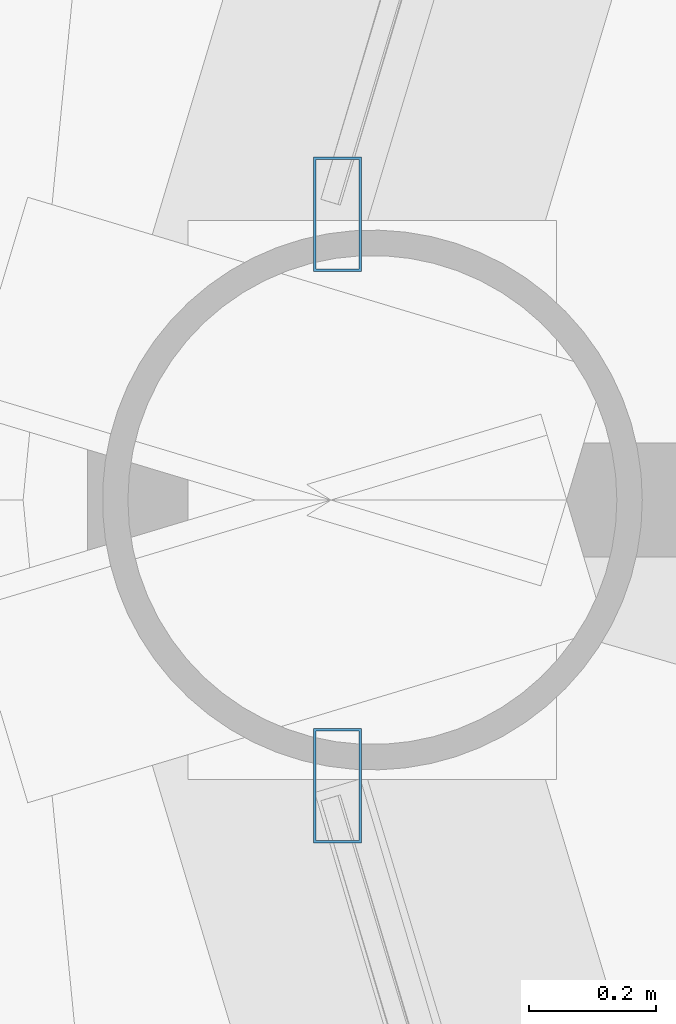
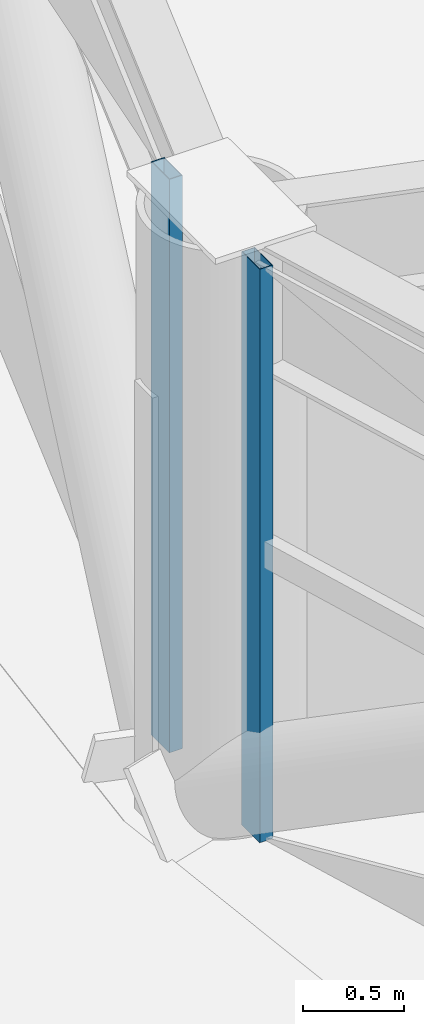
# One storey, part 5 of 27: 2 members, 2 elements without a shape of their own.
"""IFC4 building model written with IfcOpenShell, lengths in metres."""

from ifc_helpers import new_model, si_unit, direction, frame, origin, origin_2d, place, context, subcontext, project, spatial, hollow_rectangle, extrude, material, layer, layer_set, material_profile, profile_set, type_object, element, aggregate, save


model = new_model("IFC4")

# Units and contexts
model_context = context("Model", 3, precision=1e-05, world=origin(), true_north=direction((0.0, 1.0)))
body_context = subcontext(model_context, "Body", "Model", "MODEL_VIEW")
ifc_project = project(units=[si_unit("LENGTHUNIT", "METRE"), si_unit("AREAUNIT", "SQUARE_METRE"), si_unit("VOLUMEUNIT", "CUBIC_METRE"), si_unit("PLANEANGLEUNIT", "RADIAN"), si_unit("MASSUNIT", "GRAM", prefix="KILO")], contexts=[model_context])

# Site, building, storey
site_placement = place(None, origin())
site = spatial("IfcSite", under=ifc_project, at=site_placement, CompositionType="ELEMENT")
building_placement = place(site_placement, origin())
building = spatial("IfcBuilding", under=site, at=building_placement, Name="Vantalir Tower", CompositionType="ELEMENT")
storey_placement = place(building_placement, frame((0.0, 0.0, 27.0)))
storey = spatial("IfcBuildingStorey", under=building, at=storey_placement, Name="L05", CompositionType="ELEMENT", Elevation=27.0)

# Curtain wall, member
ifc_material_1 = material(Name="Champagne-silver PVDF aluminium and double-silver Low-E glass", Category="aluminium")
ifc_layer = layer(ifc_material_1, 0.18994140625)
ifc_layer_set = layer_set([ifc_layer], Name="Champagne-silver PVDF aluminium and double-silver Low-E glass")
curtain_wall_type = type_object("IfcCurtainWallType", Name="CW-DIAMOND-Z1", PredefinedType="USERDEFINED", material=ifc_layer_set)
curtain_wall_1_placement = place(storey_placement, origin())
curtain_wall_1 = element("IfcCurtainWall", 1, at=curtain_wall_1_placement, inside=storey, type_object=curtain_wall_type, Name="L05 Quilted Pyramid-Diamond Curtain Wall S06", ObjectType="UNITISED CURTAIN WALL", PredefinedType="USERDEFINED")
ifc_material_2 = material(Name="Champagne-silver PVDF aluminium 6063-T6", Category="aluminium")
ifc_material_profile = material_profile(ifc_material_2, hollow_rectangle(XDim=0.074951171875, YDim=0.179931640625, WallThickness=0.00390625, at=origin_2d()), Name="Champagne-silver PVDF aluminium 6063-T6")
ifc_profile_set = profile_set([ifc_material_profile], Name="Champagne-silver PVDF aluminium 6063-T6")
member_type = type_object("IfcMemberType", Name="CWM-180x75", PredefinedType="MULLION", material=ifc_profile_set)
member_1_placement = place(storey_placement, frame((5.9951171875, 25.449951171875, 0.044921875), z_axis=(0.0, 0.0, 1.0), x_axis=(1.0, 0.0, 0.0)))
member_1 = element("IfcMember", 2, at=member_1_placement, type_object=member_type, Name="CW-L05-S06 Mullion 2", PredefinedType="MULLION", context=body_context, shape_type="SweptSolid", body=[
    extrude(hollow_rectangle(XDim=0.074951171875, YDim=0.179931640625, WallThickness=0.00390625, at=origin_2d()), origin(), (0.0, 0.0, 1.0), 3.47998046875),
])
aggregate(curtain_wall_1, [member_1])

curtain_wall_2_placement = place(storey_placement, origin())
curtain_wall_2 = element("IfcCurtainWall", 3, at=curtain_wall_2_placement, inside=storey, type_object=curtain_wall_type, Name="L05 Quilted Pyramid-Diamond Curtain Wall S07", ObjectType="UNITISED CURTAIN WALL", PredefinedType="USERDEFINED")
member_2_placement = place(storey_placement, frame((5.9951171875, 24.550048828125, 0.044921875), z_axis=(0.0, 0.0, 1.0), x_axis=(1.0, 0.0, 0.0)))
member_2 = element("IfcMember", 4, at=member_2_placement, type_object=member_type, Name="CW-L05-S07 Mullion 1", PredefinedType="MULLION", context=body_context, shape_type="SweptSolid", body=[
    extrude(hollow_rectangle(XDim=0.074951171875, YDim=0.179931640625, WallThickness=0.00390625, at=origin_2d()), origin(), (0.0, 0.0, 1.0), 3.47998046875),
])
aggregate(curtain_wall_2, [member_2])

save(model, "model.ifc")
